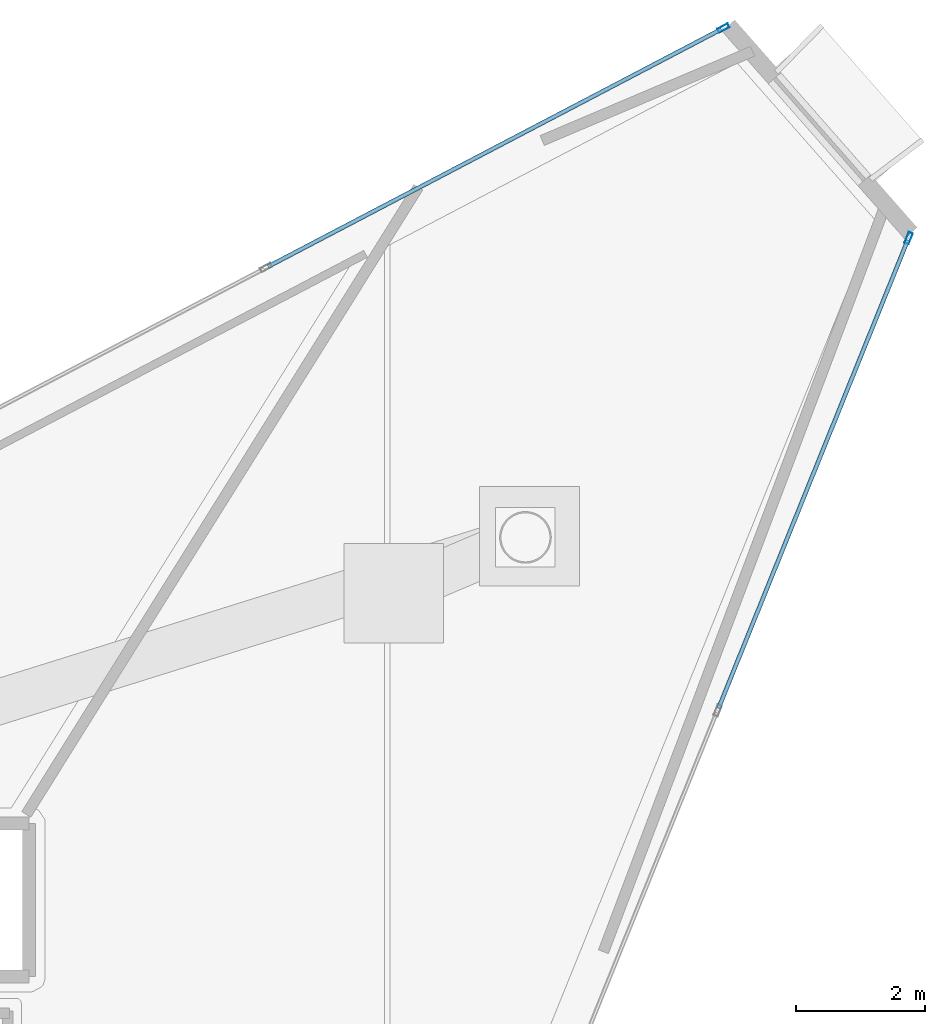
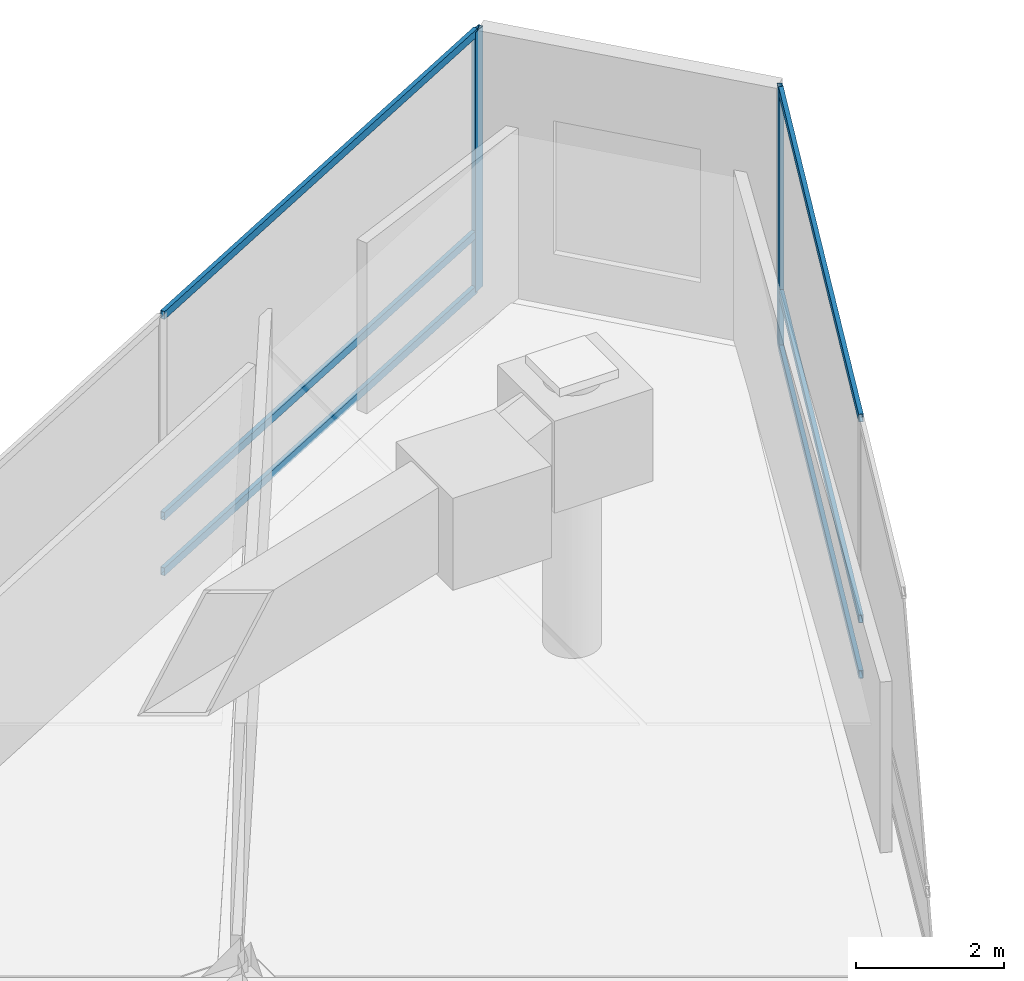
# One storey, part 12 of 17: 8 members, 2 elements without a shape of their own.
"""IFC4 building model written with IfcOpenShell, lengths in metres."""

from ifc_helpers import new_model, si_unit, direction, frame, origin, origin_2d, place, context, subcontext, project, spatial, hollow_rectangle, extrude, material, layer, layer_set, material_profile, profile_set, type_object, element, aggregate, save


model = new_model("IFC4")

# Units and contexts
model_context = context("Model", 3, precision=1e-05, world=origin(), true_north=direction((0.0, 1.0)))
body_context = subcontext(model_context, "Body", "Model", "MODEL_VIEW")
ifc_project = project(units=[si_unit("LENGTHUNIT", "METRE"), si_unit("AREAUNIT", "SQUARE_METRE"), si_unit("VOLUMEUNIT", "CUBIC_METRE"), si_unit("PLANEANGLEUNIT", "RADIAN"), si_unit("MASSUNIT", "GRAM", prefix="KILO")], contexts=[model_context])

# Site, building, storey
site_placement = place(None, origin())
site = spatial("IfcSite", under=ifc_project, at=site_placement, CompositionType="ELEMENT")
building_placement = place(site_placement, origin())
building = spatial("IfcBuilding", under=site, at=building_placement, Name="Qianvela Tower", CompositionType="ELEMENT")
storey_placement = place(building_placement, frame((0.0, 0.0, 351.800048828125)))
storey = spatial("IfcBuildingStorey", under=building, at=storey_placement, Name="L91", CompositionType="ELEMENT", Elevation=351.800048828125)

# Curtain wall, member
ifc_material_1 = material(Name="Anodised Architectural Aluminium and Low-E Glass", Category="aluminium")
ifc_layer = layer(ifc_material_1, 0.18994140625)
ifc_layer_set = layer_set([ifc_layer], Name="Anodised Architectural Aluminium and Low-E Glass")
curtain_wall_type = type_object("IfcCurtainWallType", Name="CW-SKYLOBBY", PredefinedType="USERDEFINED", material=ifc_layer_set)
curtain_wall_1_placement = place(storey_placement, origin())
curtain_wall_1 = element("IfcCurtainWall", 1, at=curtain_wall_1_placement, inside=storey, type_object=curtain_wall_type, Name="L91 CW-SKYLOBBY Curtain Wall 02", ObjectType="CURTAIN_WALL_SYSTEM", PredefinedType="USERDEFINED")
ifc_material_2 = material(Name="Anodised Architectural Aluminium 6063-T6", Category="aluminium")
ifc_material_profile_1 = material_profile(ifc_material_2, hollow_rectangle(XDim=0.070068359375, YDim=0.179931640625, WallThickness=0.0048828125, at=origin_2d()), Name="ALU-MULL-70x180")
ifc_profile_set_1 = profile_set([ifc_material_profile_1], Name="Anodised Architectural Aluminium 6063-T6")
member_type_1 = type_object("IfcMemberType", Name="CW-SKYLOBBY-MULL", PredefinedType="MULLION", material=ifc_profile_set_1)
member_1_placement = place(storey_placement, frame((54.288818359375, 47.583984375, 0.0), z_axis=(0.0, 0.0, 1.0), x_axis=(0.463889947302, -0.885892835953, 0.0)))
member_1 = element("IfcMember", 2, at=member_1_placement, type_object=member_type_1, Name="CW-7 mullion 1", PredefinedType="MULLION", context=body_context, shape_type="SweptSolid", body=[
    extrude(hollow_rectangle(XDim=0.070068359375, YDim=0.179931640625, WallThickness=0.0048828125, at=origin_2d()), origin(), (0.0, 0.0, 1.0), 4.300048828125),
])

curtain_wall_2_placement = place(storey_placement, origin())
curtain_wall_2 = element("IfcCurtainWall", 3, at=curtain_wall_2_placement, inside=storey, type_object=curtain_wall_type, Name="L91 CW-SKYLOBBY Curtain Wall 06", ObjectType="CURTAIN_WALL_SYSTEM", PredefinedType="USERDEFINED")
member_2_placement = place(storey_placement, frame((57.153564453125, 44.335693359375, 0.0), z_axis=(0.0, 0.0, 1.0), x_axis=(-0.927091753568, 0.374834470756, 0.0)))
member_2 = element("IfcMember", 4, at=member_2_placement, type_object=member_type_1, Name="CW-7 mullion 6", PredefinedType="MULLION", context=body_context, shape_type="SweptSolid", body=[
    extrude(hollow_rectangle(XDim=0.070068359375, YDim=0.179931640625, WallThickness=0.0048828125, at=origin_2d()), origin(), (0.0, 0.0, 1.0), 4.300048828125),
])

# Member
ifc_material_3 = material(Name="Anodised Architectural Aluminium 6063-T6", Category="aluminium")
ifc_material_profile_2 = material_profile(ifc_material_3, hollow_rectangle(XDim=0.06494140625, YDim=0.1298828125, WallThickness=0.00439453125, at=origin_2d()), Name="ALU-TRAN-65x130")
ifc_profile_set_2 = profile_set([ifc_material_profile_2], Name="Anodised Architectural Aluminium 6063-T6")
member_type_2 = type_object("IfcMemberType", Name="CW-SKYLOBBY-TRAN", PredefinedType="USERDEFINED", material=ifc_profile_set_2)
member_3_placement = place(storey_placement, frame((54.2578125, 47.56787109375, 0.032470703125), z_axis=(-0.885885867668, -0.463903254426, 0.0), x_axis=(0.463903254426, -0.885885867668, 0.0)))
member_3 = element("IfcMember", 5, at=member_3_placement, type_object=member_type_2, Name="CW-7 transom 1.1", ObjectType="TRANSOM", PredefinedType="USERDEFINED", context=body_context, shape_type="SweptSolid", body=[
    extrude(hollow_rectangle(XDim=0.06494140625, YDim=0.1298828125, WallThickness=0.00439453125, at=origin_2d()), origin(), (0.0, 0.0, 1.0), 7.91455078125),
])

member_4_placement = place(storey_placement, frame((54.2578125, 47.56787109375, 0.949951171875), z_axis=(-0.885885867668, -0.463903254426, 0.0), x_axis=(0.463903254426, -0.885885867668, 0.0)))
member_4 = element("IfcMember", 6, at=member_4_placement, type_object=member_type_2, Name="CW-7 transom 1.2", ObjectType="TRANSOM", PredefinedType="USERDEFINED", context=body_context, shape_type="SweptSolid", body=[
    extrude(hollow_rectangle(XDim=0.06494140625, YDim=0.1298828125, WallThickness=0.00439453125, at=origin_2d()), origin(), (0.0, 0.0, 1.0), 7.91455078125),
])

member_5_placement = place(storey_placement, frame((54.2578125, 47.56787109375, 4.267333984375), z_axis=(-0.885885867668, -0.463903254426, 0.0), x_axis=(0.463903254426, -0.885885867668, 0.0)))
member_5 = element("IfcMember", 7, at=member_5_placement, type_object=member_type_2, Name="CW-7 transom 1.3", ObjectType="TRANSOM", PredefinedType="USERDEFINED", context=body_context, shape_type="SweptSolid", body=[
    extrude(hollow_rectangle(XDim=0.06494140625, YDim=0.1298828125, WallThickness=0.00439453125, at=origin_2d()), origin(), (0.0, 0.0, 1.0), 7.91455078125),
])

aggregate(curtain_wall_1, [member_1, member_3, member_4, member_5])

member_6_placement = place(storey_placement, frame((54.21337890625, 37.064208984375, 0.032470703125), z_axis=(0.3748543598, 0.927083711937, 0.0), x_axis=(-0.927083711937, 0.3748543598, 0.0)))
member_6 = element("IfcMember", 8, at=member_6_placement, type_object=member_type_2, Name="CW-7 transom 5.1", ObjectType="TRANSOM", PredefinedType="USERDEFINED", context=body_context, shape_type="SweptSolid", body=[
    extrude(hollow_rectangle(XDim=0.06494140625, YDim=0.1298828125, WallThickness=0.00439453125, at=origin_2d()), origin(), (0.0, 0.0, 1.0), 7.808349609375),
])

member_7_placement = place(storey_placement, frame((54.21337890625, 37.064208984375, 0.949951171875), z_axis=(0.3748543598, 0.927083711937, 0.0), x_axis=(-0.927083711937, 0.3748543598, 0.0)))
member_7 = element("IfcMember", 9, at=member_7_placement, type_object=member_type_2, Name="CW-7 transom 5.2", ObjectType="TRANSOM", PredefinedType="USERDEFINED", context=body_context, shape_type="SweptSolid", body=[
    extrude(hollow_rectangle(XDim=0.06494140625, YDim=0.1298828125, WallThickness=0.00439453125, at=origin_2d()), origin(), (0.0, 0.0, 1.0), 7.808349609375),
])

member_8_placement = place(storey_placement, frame((54.21337890625, 37.064208984375, 4.267333984375), z_axis=(0.3748543598, 0.927083711937, 0.0), x_axis=(-0.927083711937, 0.3748543598, 0.0)))
member_8 = element("IfcMember", 10, at=member_8_placement, type_object=member_type_2, Name="CW-7 transom 5.3", ObjectType="TRANSOM", PredefinedType="USERDEFINED", context=body_context, shape_type="SweptSolid", body=[
    extrude(hollow_rectangle(XDim=0.06494140625, YDim=0.1298828125, WallThickness=0.00439453125, at=origin_2d()), origin(), (0.0, 0.0, 1.0), 7.808349609375),
])

aggregate(curtain_wall_2, [member_2, member_6, member_7, member_8])

save(model, "model.ifc")
